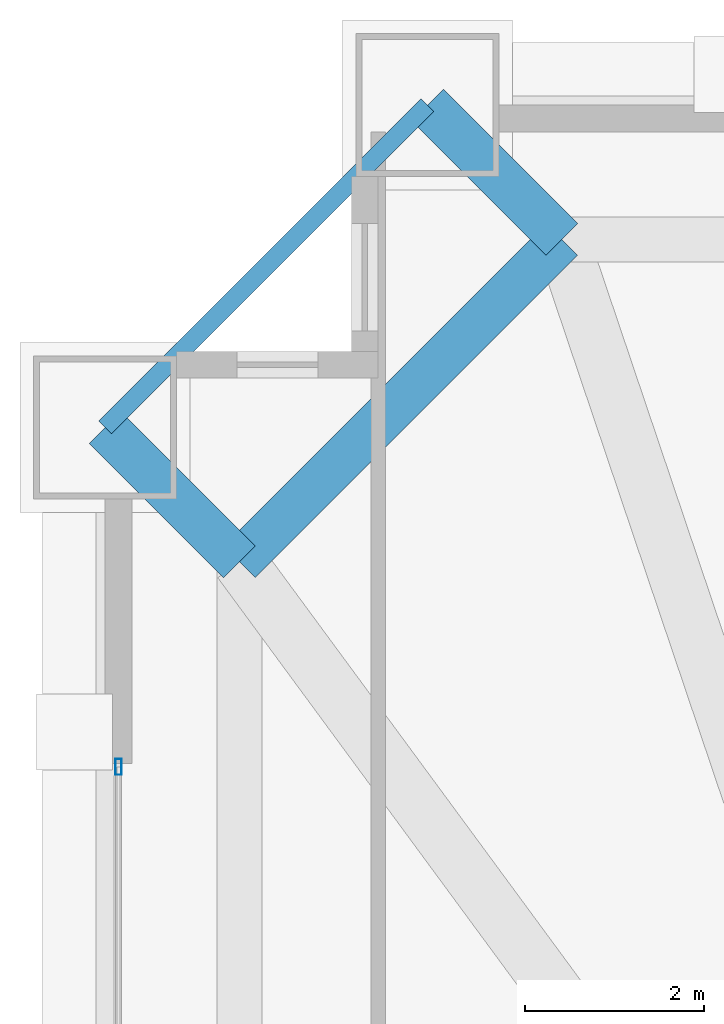
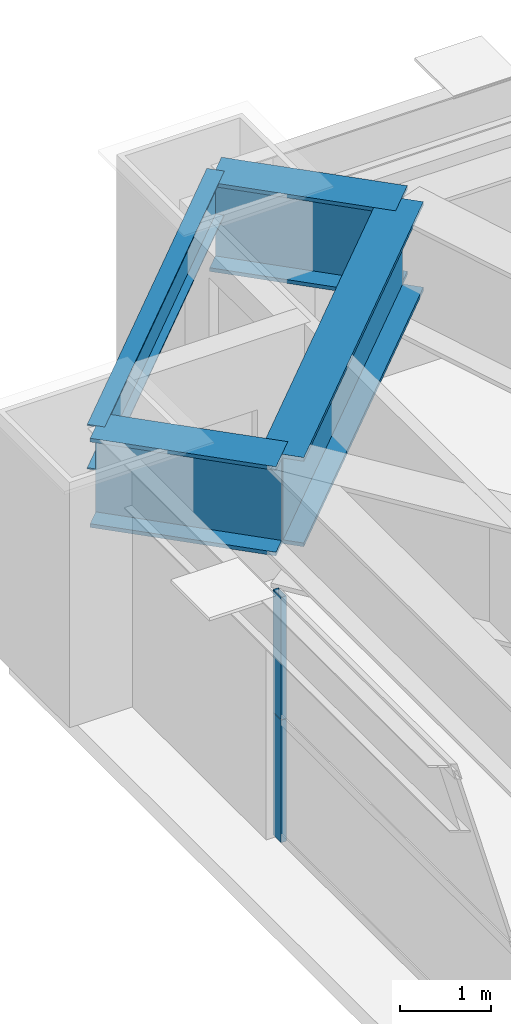
# One storey, part 27 of 45: 4 beams, 2 members, 1 element without a shape of its own.
"""IFC4 building model written with IfcOpenShell, lengths in metres."""

from ifc_helpers import new_model, si_unit, direction, frame, origin, origin_2d, place, context, subcontext, project, spatial, hollow_rectangle, i_section, extrude, source, transform, mapped, material, layer, layer_set, material_profile, profile_set, type_object, element, aggregate, save


model = new_model("IFC4")

# Units and contexts
model_context = context("Model", 3, precision=1e-05, world=origin(), true_north=direction((0.0, 1.0)))
body_context = subcontext(model_context, "Body", "Model", "MODEL_VIEW")
ifc_project = project(units=[si_unit("LENGTHUNIT", "METRE"), si_unit("AREAUNIT", "SQUARE_METRE"), si_unit("VOLUMEUNIT", "CUBIC_METRE"), si_unit("PLANEANGLEUNIT", "RADIAN"), si_unit("MASSUNIT", "GRAM", prefix="KILO"), si_unit("THERMODYNAMICTEMPERATUREUNIT", "KELVIN"), si_unit("POWERUNIT", "WATT")], contexts=[model_context])

# Site, building, storey
site_placement = place(None, origin())
site = spatial("IfcSite", under=ifc_project, at=site_placement, CompositionType="ELEMENT")
building_placement = place(site_placement, origin())
building = spatial("IfcBuilding", under=site, at=building_placement, Name="Yuzanri Waterfront Tower", CompositionType="ELEMENT")
storey_placement = place(building_placement, frame((0.0, 0.0, 163.199951171875)))
storey = spatial("IfcBuildingStorey", under=building, at=storey_placement, Name="L43", CompositionType="ELEMENT", Elevation=163.199951171875)

# Beams
ifc_material_1 = material(Name="Steel Q355B", Category="steel")
ifc_material_profile_1 = material_profile(ifc_material_1, i_section(OverallWidth=0.199951171875, OverallDepth=0.60009765625, WebThickness=0.010986328125, FlangeThickness=0.01708984375, at=origin_2d()), Name="HN 600x200x11x17")
ifc_profile_set_1 = profile_set([ifc_material_profile_1], Name="Steel Q355B")
beam_type_1 = type_object("IfcBeamType", Name="Perimeter Spandrel Q355B HN 600x200", PredefinedType="SPANDREL", material=ifc_profile_set_1)
shared_shape_1 = source(origin(), body_context, "Body", "SweptSolid", [
    extrude(i_section(OverallWidth=0.199951171875, OverallDepth=0.60009765625, WebThickness=0.010986328125, FlangeThickness=0.01708984375, at=origin_2d()), origin(), (0.0, 0.0, 1.0), 5.091064453125),
])
beam_1_placement = place(storey_placement, frame((17.0, 49.39990234375, 3.0), z_axis=(-0.707130757816, -0.707082803744, 0.0), x_axis=(0.707082803744, -0.707130757816, 0.0)))
element("IfcBeam", 1, at=beam_1_placement, inside=storey, type_object=beam_type_1, Name="L43 Perimeter Spandrel N1-W3", PredefinedType="SPANDREL", context=body_context, shape_type="MappedRepresentation", body=[
    mapped(shared_shape_1, transform((0.0, 0.0, 0.0), scale=1.0)),
])
ifc_material_2 = material(Name="Steel Q420GJC", Category="steel")
ifc_material_profile_2 = material_profile(ifc_material_2, i_section(OverallWidth=0.5, OverallDepth=1.199951171875, WebThickness=0.028076171875, FlangeThickness=0.050048828125, at=origin_2d()), Name="PG 1200x500x28x50")
ifc_profile_set_2 = profile_set([ifc_material_profile_2], Name="Steel Q420GJC")
beam_type_2 = type_object("IfcBeamType", Name="Setback Transfer Girder Q420GJC PG 1200x500", PredefinedType="USERDEFINED", material=ifc_profile_set_2)
shared_shape_2 = source(origin(), body_context, "Body", "SweptSolid", [
    extrude(i_section(OverallWidth=0.5, OverallDepth=1.199951171875, WebThickness=0.028076171875, FlangeThickness=0.050048828125, at=origin_2d()), origin(), (0.0, 0.0, 1.0), 2.121337890625),
])
for number, where, z_axis, x_axis, name in (
    (2, (18.5, 47.89990234375, 2.699951171875), (-0.707106781187, 0.707106781187, 0.0), (-0.707106781187, -0.707106781187, 0.0), "L43 Setback Step Transfer N1"),
    (3, (14.89990234375, 44.300048828125, 2.699951171875), (-0.707106781187, 0.707106781187, 0.0), (-0.707106781187, -0.707106781187, 0.0), "L43 Setback Step Transfer W3"),
):
    element("IfcBeam", number, at=place(storey_placement, frame(where, z_axis=z_axis, x_axis=x_axis)), inside=storey, type_object=beam_type_2, Name=name, ObjectType="GIRDER", PredefinedType="USERDEFINED", context=body_context, shape_type="MappedRepresentation", body=[
        mapped(shared_shape_2, transform((0.0, 0.0, 0.0), scale=1.0)),
    ])
shared_shape_3 = source(origin(), body_context, "Body", "SweptSolid", [
    extrude(i_section(OverallWidth=0.5, OverallDepth=1.199951171875, WebThickness=0.028076171875, FlangeThickness=0.050048828125, at=origin_2d()), origin(), (0.0, 0.0, 1.0), 5.091064453125),
])
beam_2_placement = place(storey_placement, frame((18.5, 47.89990234375, 2.699951171875), z_axis=(-0.707130757816, -0.707082803744, 0.0), x_axis=(0.707082803744, -0.707130757816, 0.0)))
element("IfcBeam", 4, at=beam_2_placement, inside=storey, type_object=beam_type_2, Name="L43 Setback Upper Ring N1-W3", ObjectType="GIRDER", PredefinedType="USERDEFINED", context=body_context, shape_type="MappedRepresentation", body=[
    mapped(shared_shape_3, transform((0.0, 0.0, 0.0), scale=1.0)),
])

# Curtain wall, members
ifc_material_3 = material(Name="Anodized Architectural Bronze", Category="metal")
ifc_layer = layer(ifc_material_3, 0.159912109375)
ifc_layer_set = layer_set([ifc_layer], Name="Anodized Architectural Bronze")
curtain_wall_type = type_object("IfcCurtainWallType", Name="Anodized Bronze Hotel Upper-Tier Solar-Control Unitized Curtain Wall 7800", PredefinedType="NOTDEFINED", material=ifc_layer_set)
curtain_wall_placement = place(storey_placement, origin())
curtain_wall = element("IfcCurtainWall", 5, at=curtain_wall_placement, inside=storey, type_object=curtain_wall_type, Name="L43 Curtain Wall CW-L43-WR", PredefinedType="NOTDEFINED")
ifc_material_4 = material(Name="Anodized Architectural Bronze", Category="metal")
ifc_material_profile_3 = material_profile(ifc_material_4, hollow_rectangle(XDim=0.070068359375, YDim=0.179931640625, WallThickness=0.00390625, at=origin_2d()), Name="CWM 70x180")
ifc_profile_set_3 = profile_set([ifc_material_profile_3], Name="Anodized Architectural Bronze")
member_type = type_object("IfcMemberType", Name="Anodized Bronze Standard Curtain-Wall Mullion 70x180", PredefinedType="MULLION", material=ifc_profile_set_3)
shared_shape_4 = source(origin(), body_context, "Body", "SweptSolid", [
    extrude(hollow_rectangle(XDim=0.070068359375, YDim=0.179931640625, WallThickness=0.00390625, at=origin_2d()), origin(), (0.0, 0.0, 1.0), 1.64794921875),
])
member_1_placement = place(storey_placement, frame((13.550048828125, 42.010009765625, 0.0), z_axis=(0.0, 0.0, 1.0), x_axis=(1.0, 0.0, 0.0)))
member_1 = element("IfcMember", 6, at=member_1_placement, type_object=member_type, Name="CW-L43-WR Lower Mullion 02", PredefinedType="MULLION", context=body_context, shape_type="MappedRepresentation", body=[
    mapped(shared_shape_4, transform((0.0, 0.0, 0.0), scale=1.0)),
])
member_2_placement = place(storey_placement, frame((13.550048828125, 42.010009765625, 1.652099609375), z_axis=(0.0, 0.0, 1.0), x_axis=(1.0, 0.0, 0.0)))
member_2 = element("IfcMember", 7, at=member_2_placement, type_object=member_type, Name="CW-L43-WR Upper Mullion 02", PredefinedType="MULLION", context=body_context, shape_type="MappedRepresentation", body=[
    mapped(shared_shape_4, transform((0.0, 0.0, 0.0), scale=1.0)),
])
aggregate(curtain_wall, [member_1, member_2])

save(model, "model.ifc")
